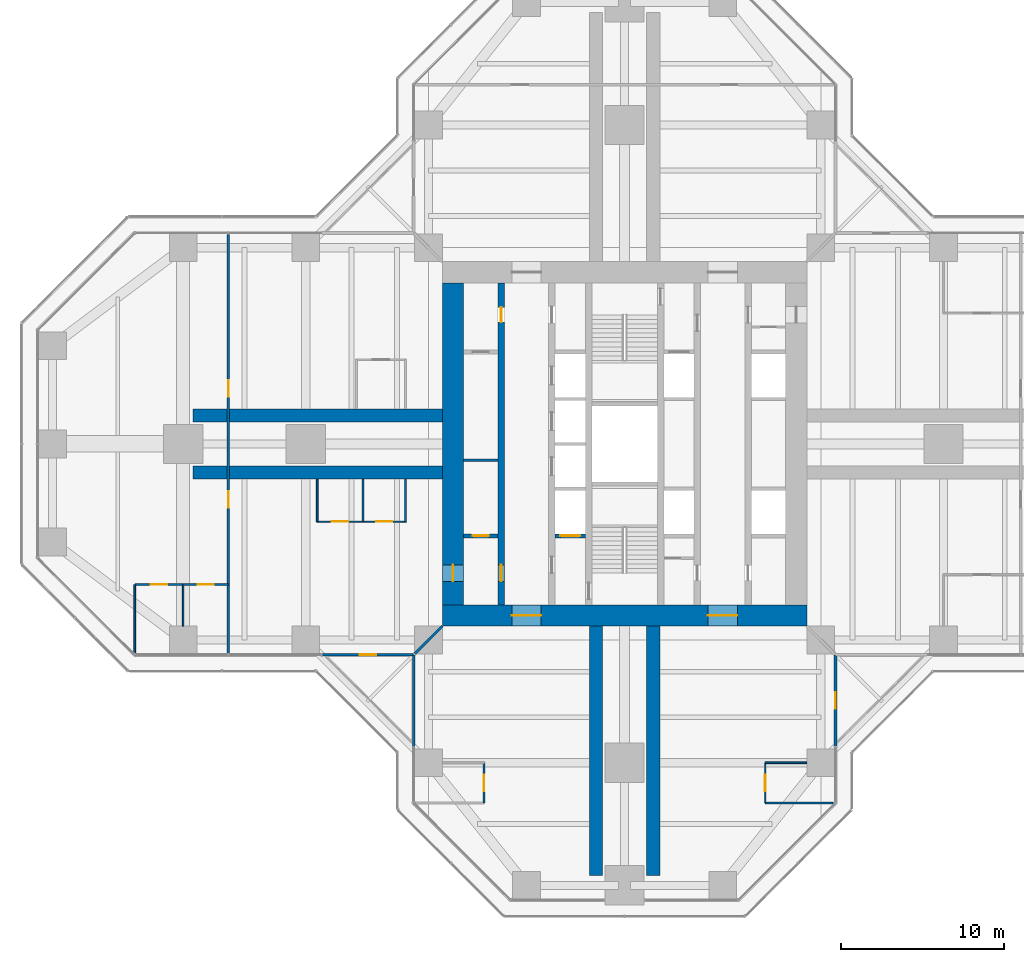
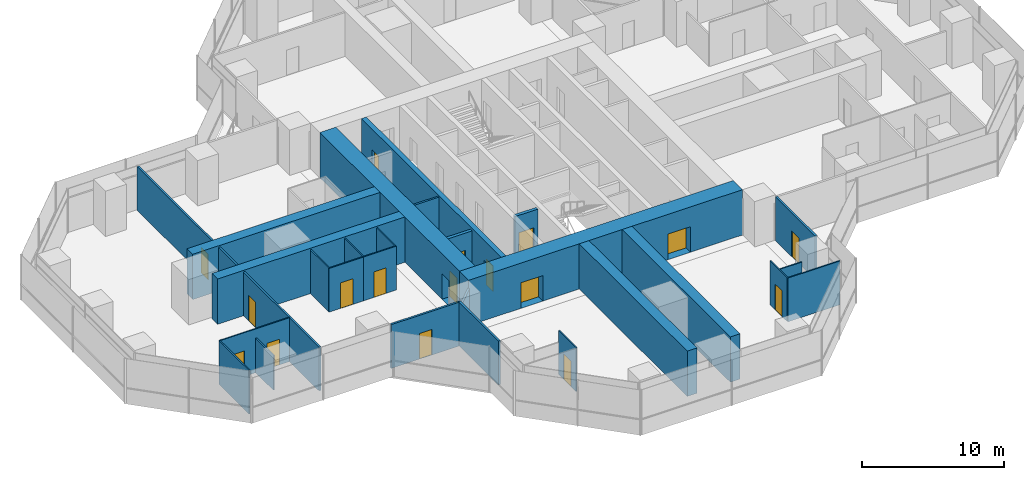
# One storey, part 15 of 20: 27 walls, 17 doors, 17 openings.
"""IFC4 building model written with IfcOpenShell, lengths in metres."""

from ifc_helpers import new_model, si_unit, direction, frame, frame_2d, origin, place, context, subcontext, project, spatial, rectangle, extrude, material, layer, layer_set, type_object, element, fill, save


model = new_model("IFC4")

# Units and contexts
model_context = context("Model", 3, precision=1e-05, world=origin(), true_north=direction((0.0, 1.0)))
body_context = subcontext(model_context, "Body", "Model", "MODEL_VIEW")
ifc_project = project(units=[si_unit("LENGTHUNIT", "METRE"), si_unit("AREAUNIT", "SQUARE_METRE"), si_unit("VOLUMEUNIT", "CUBIC_METRE"), si_unit("PLANEANGLEUNIT", "RADIAN"), si_unit("MASSUNIT", "GRAM", prefix="KILO")], contexts=[model_context])

# Site, building, storey
site_placement = place(None, origin())
site = spatial("IfcSite", under=ifc_project, at=site_placement, CompositionType="ELEMENT")
building_placement = place(site_placement, origin())
building = spatial("IfcBuilding", under=site, at=building_placement, Name="Mizan Broadcast Tower", CompositionType="ELEMENT")
storey_placement = place(building_placement, frame((0.0, 0.0, 139.800048828125)))
storey = spatial("IfcBuildingStorey", under=building, at=storey_placement, Name="L31", CompositionType="ELEMENT", Elevation=139.800048828125)

# Wall, openings, doors
ifc_material_1 = material(Name="Concrete C70/85", Category="concrete")
ifc_layer_1 = layer(ifc_material_1, 0.39990234375)
ifc_layer_set_1 = layer_set([ifc_layer_1], Name="Concrete C70/85")
wall_type_1 = type_object("IfcWallType", Name="CORE INTERNAL WALL 400", PredefinedType="SHEAR", material=ifc_layer_set_1)
wall_1_placement = place(storey_placement, frame((-7.550048828125, -9.85009765625, 0.0), z_axis=(0.0, 0.0, 1.0), x_axis=(0.0, 1.0, 0.0)))
wall_1 = element("IfcWall", 1, at=wall_1_placement, inside=storey, type_object=wall_type_1, Name="Core wall CORE/XW1", PredefinedType="SHEAR", context=body_context, shape_type="SweptSolid", body=[
    extrude(rectangle(XDim=19.7001953125, YDim=0.39990234375, at=frame_2d((9.85009765625, 0.0))), origin(), (0.0, 0.0, 1.0), 3.89990234375),
])
opening_1_placement = place(wall_1_placement, frame((1.449951171875, 0.0, 0.0)))
opening_1 = element("IfcOpeningElement", 2, at=opening_1_placement, cuts=wall_1, Name="Opening D10F", PredefinedType="OPENING", context=body_context, shape_type="SweptSolid", body=[
    extrude(rectangle(XDim=1.0, YDim=2.199951171875, at=frame_2d((0.5, 1.10009765625))), frame((0.0, 0.2099609375, 0.0), z_axis=(0.0, -1.0, 0.0), x_axis=(1.0, 0.0, 0.0)), (0.0, 0.0, 1.0), 0.419921875),
])
opening_2_placement = place(wall_1_placement, frame((17.300048828125, 0.0, 0.0)))
opening_2 = element("IfcOpeningElement", 3, at=opening_2_placement, cuts=wall_1, Name="Opening D09", PredefinedType="OPENING", context=body_context, shape_type="SweptSolid", body=[
    extrude(rectangle(XDim=0.89990234375, YDim=2.10009765625, at=frame_2d((0.449951171875, 1.050048828125))), frame((0.0, 0.2099609375, 0.0), z_axis=(0.0, -1.0, 0.0), x_axis=(1.0, 0.0, 0.0)), (0.0, 0.0, 1.0), 0.419921875),
])
ifc_material_2 = material(Name="Steel door leaf in steel frame", Category="steel")
door_type_1 = type_object("IfcDoorType", Name="FIRE DOOR 1000 FD90", OperationType="SINGLE_SWING_LEFT", PredefinedType="DOOR", material=ifc_material_2)
door_1_placement = place(opening_1_placement, origin())
door_1 = element("IfcDoor", 4, at=door_1_placement, inside=storey, type_object=door_type_1, Name="West core passage door", OperationType="SINGLE_SWING_LEFT", OverallHeight=2.199951171875, OverallWidth=1.0, PredefinedType="DOOR", context=body_context, shape_type="SweptSolid", body=[
    extrude(rectangle(XDim=1.0, YDim=2.199951171875, at=frame_2d((0.5, 1.10009765625))), frame((0.0, 0.02490234375, 0.0), z_axis=(0.0, -1.0, 0.0), x_axis=(1.0, 0.0, 0.0)), (0.0, 0.0, 1.0), 0.050048828125),
])
fill(opening_1, door_1)
ifc_material_3 = material(Name="Timber door leaf in aluminium frame", Category="wood")
door_type_2 = type_object("IfcDoorType", Name="TOILET DOOR 900", OperationType="SINGLE_SWING_LEFT", PredefinedType="DOOR", material=ifc_material_3)
door_2_placement = place(opening_2_placement, origin())
door_2 = element("IfcDoor", 5, at=door_2_placement, inside=storey, type_object=door_type_2, Name="Male WC door", OperationType="SINGLE_SWING_RIGHT", OverallHeight=2.10009765625, OverallWidth=0.89990234375, PredefinedType="DOOR", context=body_context, shape_type="SweptSolid", body=[
    extrude(rectangle(XDim=0.89990234375, YDim=2.10009765625, at=frame_2d((0.449951171875, 1.050048828125))), frame((0.0, 0.02490234375, 0.0), z_axis=(0.0, -1.0, 0.0), x_axis=(1.0, 0.0, 0.0)), (0.0, 0.0, 1.0), 0.050048828125),
])
fill(opening_2, door_2)

# Wall
ifc_material_4 = material(Name="Concrete blockwork", Category="masonry")
ifc_layer_2 = layer(ifc_material_4, 0.14990234375)
ifc_layer_set_2 = layer_set([ifc_layer_2], Name="Concrete blockwork")
wall_type_2 = type_object("IfcWallType", Name="CORE PARTITION 150", PredefinedType="SOLIDWALL", material=ifc_layer_set_2)
wall_2_placement = place(storey_placement, frame((-9.85009765625, -1.0, 0.0), z_axis=(0.0, 0.0, 1.0), x_axis=(1.0, 0.0, 0.0)))
element("IfcWall", 6, at=wall_2_placement, inside=storey, type_object=wall_type_2, Name="Core partition CORE/XP1", PredefinedType="SOLIDWALL", context=body_context, shape_type="SweptSolid", body=[
    extrude(rectangle(XDim=2.10009765625, YDim=0.14990234375, at=frame_2d((1.050048828125, 0.0))), origin(), (0.0, 0.0, 1.0), 3.77001953125),
])

# Wall, openings, doors
ifc_material_5 = material(Name="Concrete C70/85", Category="concrete")
ifc_layer_3 = layer(ifc_material_5, 1.300048828125)
ifc_layer_set_3 = layer_set([ifc_layer_3], Name="Concrete C70/85")
wall_type_3 = type_object("IfcWallType", Name="CORE WALL 1300", PredefinedType="SHEAR", material=ifc_layer_set_3)
wall_3_placement = place(storey_placement, frame((11.14990234375, -10.5, 0.0), z_axis=(0.0, 0.0, 1.0), x_axis=(-1.0, 0.0, 0.0)))
wall_3 = element("IfcWall", 7, at=wall_3_placement, inside=storey, type_object=wall_type_3, Name="Core wall S L31", PredefinedType="SHEAR", context=body_context, shape_type="SweptSolid", body=[
    extrude(rectangle(XDim=22.2998046875, YDim=1.300048828125, at=frame_2d((11.14990234375, 0.0))), origin(), (0.0, 0.0, 1.0), 3.89990234375),
])
opening_3_placement = place(wall_3_placement, frame((16.25, 0.0, 0.0)))
opening_3 = element("IfcOpeningElement", 8, at=opening_3_placement, cuts=wall_3, Name="Opening D18F", PredefinedType="OPENING", context=body_context, shape_type="SweptSolid", body=[
    extrude(rectangle(XDim=1.800048828125, YDim=2.199951171875, at=frame_2d((0.89990234375, 1.10009765625))), frame((0.0, 0.659912109375, 0.0), z_axis=(0.0, -1.0, 0.0), x_axis=(1.0, 0.0, 0.0)), (0.0, 0.0, 1.0), 1.320068359375),
])
opening_4_placement = place(wall_3_placement, frame((4.25, 0.0, 0.0)))
opening_4 = element("IfcOpeningElement", 9, at=opening_4_placement, cuts=wall_3, Name="Opening D18F", PredefinedType="OPENING", context=body_context, shape_type="SweptSolid", body=[
    extrude(rectangle(XDim=1.800048828125, YDim=2.199951171875, at=frame_2d((0.89990234375, 1.10009765625))), frame((0.0, 0.659912109375, 0.0), z_axis=(0.0, -1.0, 0.0), x_axis=(1.0, 0.0, 0.0)), (0.0, 0.0, 1.0), 1.320068359375),
])
ifc_material_6 = material(Name="Steel door leaf in steel frame", Category="steel")
door_type_3 = type_object("IfcDoorType", Name="LOBBY DOUBLE DOOR 1800 FD90", OperationType="DOUBLE_DOOR_DOUBLE_SWING", PredefinedType="DOOR", material=ifc_material_6)
door_3_placement = place(opening_3_placement, origin())
door_3 = element("IfcDoor", 10, at=door_3_placement, inside=storey, type_object=door_type_3, Name="West lift lobby south door", OperationType="DOUBLE_DOOR_DOUBLE_SWING", OverallHeight=2.199951171875, OverallWidth=1.800048828125, PredefinedType="DOOR", context=body_context, shape_type="SweptSolid", body=[
    extrude(rectangle(XDim=1.800048828125, YDim=2.199951171875, at=frame_2d((0.89990234375, 1.10009765625))), frame((0.0, 0.02490234375, 0.0), z_axis=(0.0, -1.0, 0.0), x_axis=(1.0, 0.0, 0.0)), (0.0, 0.0, 1.0), 0.050048828125),
])
fill(opening_3, door_3)
door_4_placement = place(opening_4_placement, origin())
door_4 = element("IfcDoor", 11, at=door_4_placement, inside=storey, type_object=door_type_3, Name="East lift lobby south door", OperationType="DOUBLE_DOOR_DOUBLE_SWING", OverallHeight=2.199951171875, OverallWidth=1.800048828125, PredefinedType="DOOR", context=body_context, shape_type="SweptSolid", body=[
    extrude(rectangle(XDim=1.800048828125, YDim=2.199951171875, at=frame_2d((0.89990234375, 1.10009765625))), frame((0.0, 0.02490234375, 0.0), z_axis=(0.0, -1.0, 0.0), x_axis=(1.0, 0.0, 0.0)), (0.0, 0.0, 1.0), 0.050048828125),
])
fill(opening_4, door_4)

# Wall, opening, door
wall_4_placement = place(storey_placement, frame((-10.5, 9.85009765625, 0.0), z_axis=(0.0, 0.0, 1.0), x_axis=(0.0, -1.0, 0.0)))
wall_4 = element("IfcWall", 12, at=wall_4_placement, inside=storey, type_object=wall_type_3, Name="Core wall W L31", PredefinedType="SHEAR", context=body_context, shape_type="SweptSolid", body=[
    extrude(rectangle(XDim=19.7001953125, YDim=1.300048828125, at=frame_2d((9.85009765625, 0.0))), origin(), (0.0, 0.0, 1.0), 3.89990234375),
])
opening_5_placement = place(wall_4_placement, frame((17.25, 0.0, 0.0)))
opening_5 = element("IfcOpeningElement", 13, at=opening_5_placement, cuts=wall_4, Name="Opening D10F", PredefinedType="OPENING", context=body_context, shape_type="SweptSolid", body=[
    extrude(rectangle(XDim=1.0, YDim=2.199951171875, at=frame_2d((0.5, 1.10009765625))), frame((0.0, 0.659912109375, 0.0), z_axis=(0.0, -1.0, 0.0), x_axis=(1.0, 0.0, 0.0)), (0.0, 0.0, 1.0), 1.320068359375),
])
door_5_placement = place(opening_5_placement, origin())
door_5 = element("IfcDoor", 14, at=door_5_placement, inside=storey, type_object=door_type_1, Name="West core passage arm door", OperationType="SINGLE_SWING_RIGHT", OverallHeight=2.199951171875, OverallWidth=1.0, PredefinedType="DOOR", context=body_context, shape_type="SweptSolid", body=[
    extrude(rectangle(XDim=1.0, YDim=2.199951171875, at=frame_2d((0.5, 1.10009765625))), frame((0.0, 0.02490234375, 0.0), z_axis=(0.0, -1.0, 0.0), x_axis=(1.0, 0.0, 0.0)), (0.0, 0.0, 1.0), 0.050048828125),
])
fill(opening_5, door_5)

ifc_material_7 = material(Name="Aluminium framed glazed screen", Category="aluminium")
ifc_layer_4 = layer(ifc_material_7, 0.159912109375)
ifc_layer_set_4 = layer_set([ifc_layer_4], Name="Aluminium framed glazed screen")
wall_type_4 = type_object("IfcWallType", Name="GLAZED SCREEN WALL 160", PredefinedType="SOLIDWALL", material=ifc_layer_set_4)
wall_5_placement = place(storey_placement, frame((-18.5, -12.89990234375, 0.0), z_axis=(0.0, 0.0, 1.0), x_axis=(1.0, 0.0, 0.0)))
wall_5 = element("IfcWall", 15, at=wall_5_placement, inside=storey, type_object=wall_type_4, Name="Winter garden screen L31 W", PredefinedType="SOLIDWALL", context=body_context, shape_type="SweptSolid", body=[
    extrude(rectangle(XDim=5.60009765625, YDim=0.159912109375, at=frame_2d((2.800048828125, 0.0))), origin(), (0.0, 0.0, 1.0), 3.77001953125),
])
opening_6_placement = place(wall_5_placement, frame((2.300048828125, 0.0, 0.0)))
opening_6 = element("IfcOpeningElement", 16, at=opening_6_placement, cuts=wall_5, Name="Opening WGD", PredefinedType="OPENING", context=body_context, shape_type="SweptSolid", body=[
    extrude(rectangle(XDim=1.0, YDim=2.199951171875, at=frame_2d((0.5, 1.10009765625))), frame((0.0, 0.08984375, 0.0), z_axis=(0.0, -1.0, 0.0), x_axis=(1.0, 0.0, 0.0)), (0.0, 0.0, 1.0), 0.179931640625),
])
ifc_material_8 = material(Name="Aluminium framed glazed door", Category="aluminium")
door_type_4 = type_object("IfcDoorType", Name="WINTER GARDEN DOOR 1000 GLAZED", OperationType="SINGLE_SWING_LEFT", PredefinedType="DOOR", material=ifc_material_8)
door_6_placement = place(opening_6_placement, origin())
door_6 = element("IfcDoor", 17, at=door_6_placement, inside=storey, type_object=door_type_4, Name="Winter garden door L31 W", OperationType="SINGLE_SWING_RIGHT", OverallHeight=2.199951171875, OverallWidth=1.0, PredefinedType="DOOR", context=body_context, shape_type="SweptSolid", body=[
    extrude(rectangle(XDim=1.0, YDim=2.199951171875, at=frame_2d((0.5, 1.10009765625))), frame((0.0, 0.02490234375, 0.0), z_axis=(0.0, -1.0, 0.0), x_axis=(1.0, 0.0, 0.0)), (0.0, 0.0, 1.0), 0.050048828125),
])
fill(opening_6, door_6)

# Wall
wall_6_placement = place(storey_placement, frame((-12.89990234375, -12.89990234375, 0.0), z_axis=(0.0, 0.0, 1.0), x_axis=(0.0, -1.0, 0.0)))
element("IfcWall", 18, at=wall_6_placement, inside=storey, type_object=wall_type_4, Name="Winter garden screen L31 S", PredefinedType="SOLIDWALL", context=body_context, shape_type="SweptSolid", body=[
    extrude(rectangle(XDim=5.60009765625, YDim=0.159912109375, at=frame_2d((2.800048828125, 0.0))), origin(), (0.0, 0.0, 1.0), 3.77001953125),
])

# Wall, opening, door
wall_7_placement = place(storey_placement, frame((12.89990234375, -18.5, 0.0), z_axis=(0.0, 0.0, 1.0), x_axis=(0.0, 1.0, 0.0)))
wall_7 = element("IfcWall", 19, at=wall_7_placement, inside=storey, type_object=wall_type_4, Name="Winter garden screen L31 S", PredefinedType="SOLIDWALL", context=body_context, shape_type="SweptSolid", body=[
    extrude(rectangle(XDim=5.60009765625, YDim=0.159912109375, at=frame_2d((2.800048828125, 0.0))), origin(), (0.0, 0.0, 1.0), 3.77001953125),
])
opening_7_placement = place(wall_7_placement, frame((2.300048828125, 0.0, 0.0)))
opening_7 = element("IfcOpeningElement", 20, at=opening_7_placement, cuts=wall_7, Name="Opening WGD", PredefinedType="OPENING", context=body_context, shape_type="SweptSolid", body=[
    extrude(rectangle(XDim=1.0, YDim=2.199951171875, at=frame_2d((0.5, 1.10009765625))), frame((0.0, 0.08984375, 0.0), z_axis=(0.0, -1.0, 0.0), x_axis=(1.0, 0.0, 0.0)), (0.0, 0.0, 1.0), 0.179931640625),
])
door_7_placement = place(opening_7_placement, origin())
door_7 = element("IfcDoor", 21, at=door_7_placement, inside=storey, type_object=door_type_4, Name="Winter garden door L31 S", OperationType="SINGLE_SWING_RIGHT", OverallHeight=2.199951171875, OverallWidth=1.0, PredefinedType="DOOR", context=body_context, shape_type="SweptSolid", body=[
    extrude(rectangle(XDim=1.0, YDim=2.199951171875, at=frame_2d((0.5, 1.10009765625))), frame((0.0, 0.02490234375, 0.0), z_axis=(0.0, -1.0, 0.0), x_axis=(1.0, 0.0, 0.0)), (0.0, 0.0, 1.0), 0.050048828125),
])
fill(opening_7, door_7)

ifc_material_9 = material(Name="Concrete blockwork", Category="masonry")
ifc_layer_5 = layer(ifc_material_9, 0.25)
ifc_layer_set_5 = layer_set([ifc_layer_5], Name="Concrete blockwork")
wall_type_5 = type_object("IfcWallType", Name="LOBBY ENCLOSURE WALL 250", PredefinedType="SOLIDWALL", material=ifc_layer_set_5)
wall_8_placement = place(storey_placement, frame((-9.85009765625, -5.625, 0.0), z_axis=(0.0, 0.0, 1.0), x_axis=(1.0, 0.0, 0.0)))
wall_8 = element("IfcWall", 22, at=wall_8_placement, inside=storey, type_object=wall_type_5, Name="Lobby enclosure wall CORE/BW1S", PredefinedType="SOLIDWALL", context=body_context, shape_type="SweptSolid", body=[
    extrude(rectangle(XDim=2.10009765625, YDim=0.25, at=frame_2d((1.050048828125, 0.0))), origin(), (0.0, 0.0, 1.0), 3.699951171875),
])
opening_8_placement = place(wall_8_placement, frame((0.550048828125, 0.0, 0.0)))
opening_8 = element("IfcOpeningElement", 23, at=opening_8_placement, cuts=wall_8, Name="Opening D10F", PredefinedType="OPENING", context=body_context, shape_type="SweptSolid", body=[
    extrude(rectangle(XDim=1.0, YDim=2.199951171875, at=frame_2d((0.5, 1.10009765625))), frame((0.0, 0.135009765625, 0.0), z_axis=(0.0, -1.0, 0.0), x_axis=(1.0, 0.0, 0.0)), (0.0, 0.0, 1.0), 0.27001953125),
])
door_8_placement = place(opening_8_placement, origin())
door_8 = element("IfcDoor", 24, at=door_8_placement, inside=storey, type_object=door_type_1, Name="Housekeeping store door", OperationType="SINGLE_SWING_RIGHT", OverallHeight=2.199951171875, OverallWidth=1.0, PredefinedType="DOOR", context=body_context, shape_type="SweptSolid", body=[
    extrude(rectangle(XDim=1.0, YDim=2.199951171875, at=frame_2d((0.5, 1.10009765625))), frame((0.0, 0.02490234375, 0.0), z_axis=(0.0, -1.0, 0.0), x_axis=(1.0, 0.0, 0.0)), (0.0, 0.0, 1.0), 0.050048828125),
])
fill(opening_8, door_8)

wall_9_placement = place(storey_placement, frame((-4.25, -5.625, 0.0), z_axis=(0.0, 0.0, 1.0), x_axis=(1.0, 0.0, 0.0)))
wall_9 = element("IfcWall", 25, at=wall_9_placement, inside=storey, type_object=wall_type_5, Name="Lobby enclosure wall CORE/BW2S", PredefinedType="SOLIDWALL", context=body_context, shape_type="SweptSolid", body=[
    extrude(rectangle(XDim=1.85009765625, YDim=0.25, at=frame_2d((0.925048828125, 0.0))), origin(), (0.0, 0.0, 1.0), 3.699951171875),
])
opening_9_placement = place(wall_9_placement, frame((0.324951171875, 0.0, 0.0)))
opening_9 = element("IfcOpeningElement", 26, at=opening_9_placement, cuts=wall_9, Name="Opening LDF", PredefinedType="OPENING", context=body_context, shape_type="SweptSolid", body=[
    extrude(rectangle(XDim=1.199951171875, YDim=2.199951171875, at=frame_2d((0.60009765625, 1.10009765625))), frame((0.0, 0.135009765625, 0.0), z_axis=(0.0, -1.0, 0.0), x_axis=(1.0, 0.0, 0.0)), (0.0, 0.0, 1.0), 0.27001953125),
])
ifc_material_10 = material(Name="Steel door leaf in steel frame", Category="steel")
door_type_5 = type_object("IfcDoorType", Name="FIREFIGHTING LIFT LANDING DOOR 1200", OperationType="SLIDING_TO_LEFT", PredefinedType="DOOR", material=ifc_material_10)
door_9_placement = place(opening_9_placement, origin())
door_9 = element("IfcDoor", 27, at=door_9_placement, inside=storey, type_object=door_type_5, Name="Landing door FF1", OperationType="SLIDING_TO_LEFT", OverallHeight=2.199951171875, OverallWidth=1.199951171875, PredefinedType="DOOR", context=body_context, shape_type="SweptSolid", body=[
    extrude(rectangle(XDim=1.199951171875, YDim=2.199951171875, at=frame_2d((0.60009765625, 1.10009765625))), frame((0.0, 0.02490234375, 0.0), z_axis=(0.0, -1.0, 0.0), x_axis=(1.0, 0.0, 0.0)), (0.0, 0.0, 1.0), 0.050048828125),
])
fill(opening_9, door_9)

# Wall, openings, doors
ifc_material_11 = material(Name="Gypsum board on steel studs", Category="steel")
ifc_layer_6 = layer(ifc_material_11, 0.14990234375)
ifc_layer_set_6 = layer_set([ifc_layer_6], Name="Gypsum board on steel studs")
wall_type_6 = type_object("IfcWallType", Name="PARTITION 150", PredefinedType="PARTITIONING", material=ifc_layer_set_6)
wall_10_placement = place(storey_placement, frame((-24.22900390625, 12.820068359375, 0.0), z_axis=(0.0, 0.0, 1.0), x_axis=(0.0, -1.0, 0.0)))
wall_10 = element("IfcWall", 28, at=wall_10_placement, inside=storey, type_object=wall_type_6, Name="Partition PT/WX1", PredefinedType="PARTITIONING", context=body_context, shape_type="SweptSolid", body=[
    extrude(rectangle(XDim=25.64013671875, YDim=0.14990234375, at=frame_2d((12.820068359375, 0.0))), origin(), (0.0, 0.0, 1.0), 3.77001953125),
])
opening_10_placement = place(wall_10_placement, frame((15.719970703125, 0.0, 0.0)))
opening_10 = element("IfcOpeningElement", 29, at=opening_10_placement, cuts=wall_10, Name="Opening D10", PredefinedType="OPENING", context=body_context, shape_type="SweptSolid", body=[
    extrude(rectangle(XDim=1.0, YDim=2.199951171875, at=frame_2d((0.5, 1.10009765625))), frame((0.0, 0.0849609375, 0.0), z_axis=(0.0, -1.0, 0.0), x_axis=(1.0, 0.0, 0.0)), (0.0, 0.0, 1.0), 0.169921875),
])
opening_11_placement = place(wall_10_placement, frame((8.919921875, 0.0, 0.0)))
opening_11 = element("IfcOpeningElement", 30, at=opening_11_placement, cuts=wall_10, Name="Opening D10", PredefinedType="OPENING", context=body_context, shape_type="SweptSolid", body=[
    extrude(rectangle(XDim=1.0, YDim=2.199951171875, at=frame_2d((0.5, 1.10009765625))), frame((0.0, 0.0849609375, 0.0), z_axis=(0.0, -1.0, 0.0), x_axis=(1.0, 0.0, 0.0)), (0.0, 0.0, 1.0), 0.169921875),
])
ifc_material_12 = material(Name="Timber door leaf in aluminium frame", Category="wood")
door_type_6 = type_object("IfcDoorType", Name="ROOM DOOR 1000", OperationType="SINGLE_SWING_LEFT", PredefinedType="DOOR", material=ifc_material_12)
door_10_placement = place(opening_10_placement, origin())
door_10 = element("IfcDoor", 31, at=door_10_placement, inside=storey, type_object=door_type_6, Name="Open office door", OperationType="SINGLE_SWING_RIGHT", OverallHeight=2.199951171875, OverallWidth=1.0, PredefinedType="DOOR", context=body_context, shape_type="SweptSolid", body=[
    extrude(rectangle(XDim=1.0, YDim=2.199951171875, at=frame_2d((0.5, 1.10009765625))), frame((0.0, 0.02490234375, 0.0), z_axis=(0.0, -1.0, 0.0), x_axis=(1.0, 0.0, 0.0)), (0.0, 0.0, 1.0), 0.050048828125),
])
fill(opening_10, door_10)
door_11_placement = place(opening_11_placement, origin())
door_11 = element("IfcDoor", 32, at=door_11_placement, inside=storey, type_object=door_type_6, Name="Open office door", OperationType="SINGLE_SWING_LEFT", OverallHeight=2.199951171875, OverallWidth=1.0, PredefinedType="DOOR", context=body_context, shape_type="SweptSolid", body=[
    extrude(rectangle(XDim=1.0, YDim=2.199951171875, at=frame_2d((0.5, 1.10009765625))), frame((0.0, 0.02490234375, 0.0), z_axis=(0.0, -1.0, 0.0), x_axis=(1.0, 0.0, 0.0)), (0.0, 0.0, 1.0), 0.050048828125),
])
fill(opening_11, door_11)

# Wall
wall_11_placement = place(storey_placement, frame((-11.14990234375, -11.14990234375, 0.0), z_axis=(0.0, 0.0, 1.0), x_axis=(-0.707106781187, -0.707106781187, 0.0)))
element("IfcWall", 33, at=wall_11_placement, inside=storey, type_object=wall_type_6, Name="Partition PT/DGWS", PredefinedType="PARTITIONING", context=body_context, shape_type="SweptSolid", body=[
    extrude(rectangle(XDim=2.362060546875, YDim=0.14990234375, at=frame_2d((1.18115234375, 0.0))), origin(), (0.0, 0.0, 1.0), 3.219970703125),
])

# Wall, openings, doors
ifc_material_13 = material(Name="Glazed aluminium partition on aluminium track", Category="aluminium")
ifc_layer_7 = layer(ifc_material_13, 0.10009765625)
ifc_layer_set_7 = layer_set([ifc_layer_7], Name="Glazed aluminium partition on aluminium track")
wall_type_7 = type_object("IfcWallType", Name="PARTITION GLAZED OFFICE FRONT 100", PredefinedType="PARTITIONING", material=ifc_layer_set_7)
wall_12_placement = place(storey_placement, frame((-24.22900390625, -8.60009765625, 0.0), z_axis=(0.0, 0.0, 1.0), x_axis=(-1.0, 0.0, 0.0)))
wall_12 = element("IfcWall", 34, at=wall_12_placement, inside=storey, type_object=wall_type_7, Name="Glazed office front PT/WCP0", PredefinedType="PARTITIONING", context=body_context, shape_type="SweptSolid", body=[
    extrude(rectangle(XDim=5.72998046875, YDim=0.10009765625, at=frame_2d((2.864990234375, 0.0))), origin(), (0.0, 0.0, 1.0), 3.77001953125),
])
opening_12_placement = place(wall_12_placement, frame((0.885498046875, 0.0, 0.0)))
opening_12 = element("IfcOpeningElement", 35, at=opening_12_placement, cuts=wall_12, Name="Opening D10O", PredefinedType="OPENING", context=body_context, shape_type="SweptSolid", body=[
    extrude(rectangle(XDim=1.0, YDim=2.199951171875, at=frame_2d((0.5, 1.10009765625))), frame((0.0, 0.06005859375, 0.0), z_axis=(0.0, -1.0, 0.0), x_axis=(1.0, 0.0, 0.0)), (0.0, 0.0, 1.0), 0.1201171875),
])
opening_13_placement = place(wall_12_placement, frame((3.75048828125, 0.0, 0.0)))
opening_13 = element("IfcOpeningElement", 36, at=opening_13_placement, cuts=wall_12, Name="Opening D10O", PredefinedType="OPENING", context=body_context, shape_type="SweptSolid", body=[
    extrude(rectangle(XDim=1.0, YDim=2.199951171875, at=frame_2d((0.5, 1.10009765625))), frame((0.0, 0.06005859375, 0.0), z_axis=(0.0, -1.0, 0.0), x_axis=(1.0, 0.0, 0.0)), (0.0, 0.0, 1.0), 0.1201171875),
])
ifc_material_14 = material(Name="Timber door leaf in aluminium frame", Category="wood")
door_type_7 = type_object("IfcDoorType", Name="OFFICE DOOR 1000 GLAZED", OperationType="SINGLE_SWING_LEFT", PredefinedType="DOOR", material=ifc_material_14)
door_12_placement = place(opening_12_placement, origin())
door_12 = element("IfcDoor", 37, at=door_12_placement, inside=storey, type_object=door_type_7, Name="Office door", OperationType="SINGLE_SWING_LEFT", OverallHeight=2.199951171875, OverallWidth=1.0, PredefinedType="DOOR", context=body_context, shape_type="SweptSolid", body=[
    extrude(rectangle(XDim=1.0, YDim=2.199951171875, at=frame_2d((0.5, 1.10009765625))), frame((0.0, 0.02490234375, 0.0), z_axis=(0.0, -1.0, 0.0), x_axis=(1.0, 0.0, 0.0)), (0.0, 0.0, 1.0), 0.050048828125),
])
fill(opening_12, door_12)
door_13_placement = place(opening_13_placement, origin())
door_13 = element("IfcDoor", 38, at=door_13_placement, inside=storey, type_object=door_type_7, Name="Office door", OperationType="SINGLE_SWING_RIGHT", OverallHeight=2.199951171875, OverallWidth=1.0, PredefinedType="DOOR", context=body_context, shape_type="SweptSolid", body=[
    extrude(rectangle(XDim=1.0, YDim=2.199951171875, at=frame_2d((0.5, 1.10009765625))), frame((0.0, 0.02490234375, 0.0), z_axis=(0.0, -1.0, 0.0), x_axis=(1.0, 0.0, 0.0)), (0.0, 0.0, 1.0), 0.050048828125),
])
fill(opening_13, door_13)

# Walls
wall_13_placement = place(storey_placement, frame((-27.0, -8.60009765625, 0.0), z_axis=(0.0, 0.0, 1.0), x_axis=(0.0, -1.0, 0.0)))
element("IfcWall", 39, at=wall_13_placement, inside=storey, type_object=wall_type_7, Name="Glazed office front PT/WQP2700", PredefinedType="PARTITIONING", context=body_context, shape_type="SweptSolid", body=[
    extrude(rectangle(XDim=2.5498046875, YDim=0.10009765625, at=frame_2d((1.27490234375, 0.0))), origin(), (0.0, 0.0, 1.0), 2.969970703125),
])
wall_14_placement = place(storey_placement, frame((-29.958984375, -8.60009765625, 0.0), z_axis=(0.0, 0.0, 1.0), x_axis=(0.0, -1.0, 0.0)))
element("IfcWall", 40, at=wall_14_placement, inside=storey, type_object=wall_type_7, Name="Glazed office front PT/WQP2996", PredefinedType="PARTITIONING", context=body_context, shape_type="SweptSolid", body=[
    extrude(rectangle(XDim=4.219970703125, YDim=0.10009765625, at=frame_2d((2.10986328125, 0.0))), origin(), (0.0, 0.0, 1.0), 3.77001953125),
])
for number, where, z_axis, x_axis, name in (
    (41, (-13.39990234375, -2.14990234375, 0.0), (0.0, 0.0, 1.0), (0.0, -1.0, 0.0), "Glazed office front PT/WKP0a"),
    (42, (-16.0, -2.14990234375, 0.0), (0.0, 0.0, 1.0), (0.0, -1.0, 0.0), "Glazed office front PT/WKP0b"),
):
    element("IfcWall", number, at=place(storey_placement, frame(where, z_axis=z_axis, x_axis=x_axis)), inside=storey, type_object=wall_type_7, Name=name, PredefinedType="PARTITIONING", context=body_context, shape_type="SweptSolid", body=[
        extrude(rectangle(XDim=2.60009765625, YDim=0.10009765625, at=frame_2d((1.300048828125, 0.0))), origin(), (0.0, 0.0, 1.0), 3.77001953125),
    ])

# Wall, opening, door
wall_15_placement = place(storey_placement, frame((-13.35009765625, -4.75, 0.0), z_axis=(0.0, 0.0, 1.0), x_axis=(-1.0, 0.0, 0.0)))
wall_15 = element("IfcWall", 43, at=wall_15_placement, inside=storey, type_object=wall_type_7, Name="Glazed office front PT/WKP0f", PredefinedType="PARTITIONING", context=body_context, shape_type="SweptSolid", body=[
    extrude(rectangle(XDim=2.699951171875, YDim=0.10009765625, at=frame_2d((1.35009765625, 0.0))), origin(), (0.0, 0.0, 1.0), 3.77001953125),
])
opening_14_placement = place(wall_15_placement, frame((0.85009765625, 0.0, 0.0)))
opening_14 = element("IfcOpeningElement", 44, at=opening_14_placement, cuts=wall_15, Name="Opening D10O", PredefinedType="OPENING", context=body_context, shape_type="SweptSolid", body=[
    extrude(rectangle(XDim=1.0, YDim=2.199951171875, at=frame_2d((0.5, 1.10009765625))), frame((0.0, 0.06005859375, 0.0), z_axis=(0.0, -1.0, 0.0), x_axis=(1.0, 0.0, 0.0)), (0.0, 0.0, 1.0), 0.1201171875),
])
door_14_placement = place(opening_14_placement, origin())
door_14 = element("IfcDoor", 45, at=door_14_placement, inside=storey, type_object=door_type_7, Name="Interview room door", OperationType="SINGLE_SWING_LEFT", OverallHeight=2.199951171875, OverallWidth=1.0, PredefinedType="DOOR", context=body_context, shape_type="SweptSolid", body=[
    extrude(rectangle(XDim=1.0, YDim=2.199951171875, at=frame_2d((0.5, 1.10009765625))), frame((0.0, 0.02490234375, 0.0), z_axis=(0.0, -1.0, 0.0), x_axis=(1.0, 0.0, 0.0)), (0.0, 0.0, 1.0), 0.050048828125),
])
fill(opening_14, door_14)

# Wall
wall_16_placement = place(storey_placement, frame((-18.800048828125, -2.14990234375, 0.0), z_axis=(0.0, 0.0, 1.0), x_axis=(0.0, -1.0, 0.0)))
element("IfcWall", 46, at=wall_16_placement, inside=storey, type_object=wall_type_7, Name="Glazed office front PT/WKP1b", PredefinedType="PARTITIONING", context=body_context, shape_type="SweptSolid", body=[
    extrude(rectangle(XDim=2.60009765625, YDim=0.10009765625, at=frame_2d((1.300048828125, 0.0))), origin(), (0.0, 0.0, 1.0), 3.77001953125),
])

# Wall, opening, door
wall_17_placement = place(storey_placement, frame((-16.050048828125, -4.75, 0.0), z_axis=(0.0, 0.0, 1.0), x_axis=(-1.0, 0.0, 0.0)))
wall_17 = element("IfcWall", 47, at=wall_17_placement, inside=storey, type_object=wall_type_7, Name="Glazed office front PT/WKP1f", PredefinedType="PARTITIONING", context=body_context, shape_type="SweptSolid", body=[
    extrude(rectangle(XDim=2.800048828125, YDim=0.10009765625, at=frame_2d((1.39990234375, 0.0))), origin(), (0.0, 0.0, 1.0), 3.77001953125),
])
opening_15_placement = place(wall_17_placement, frame((0.85009765625, 0.0, 0.0)))
opening_15 = element("IfcOpeningElement", 48, at=opening_15_placement, cuts=wall_17, Name="Opening D10O", PredefinedType="OPENING", context=body_context, shape_type="SweptSolid", body=[
    extrude(rectangle(XDim=1.0, YDim=2.199951171875, at=frame_2d((0.5, 1.10009765625))), frame((0.0, 0.06005859375, 0.0), z_axis=(0.0, -1.0, 0.0), x_axis=(1.0, 0.0, 0.0)), (0.0, 0.0, 1.0), 0.1201171875),
])
door_15_placement = place(opening_15_placement, origin())
door_15 = element("IfcDoor", 49, at=door_15_placement, inside=storey, type_object=door_type_7, Name="Interview room door", OperationType="SINGLE_SWING_LEFT", OverallHeight=2.199951171875, OverallWidth=1.0, PredefinedType="DOOR", context=body_context, shape_type="SweptSolid", body=[
    extrude(rectangle(XDim=1.0, YDim=2.199951171875, at=frame_2d((0.5, 1.10009765625))), frame((0.0, 0.02490234375, 0.0), z_axis=(0.0, -1.0, 0.0), x_axis=(1.0, 0.0, 0.0)), (0.0, 0.0, 1.0), 0.050048828125),
])
fill(opening_15, door_15)

wall_18_placement = place(storey_placement, frame((8.60009765625, -19.5, 0.0), z_axis=(0.0, 0.0, 1.0), x_axis=(0.0, -1.0, 0.0)))
wall_18 = element("IfcWall", 50, at=wall_18_placement, inside=storey, type_object=wall_type_7, Name="Glazed office front PT/SCP0", PredefinedType="PARTITIONING", context=body_context, shape_type="SweptSolid", body=[
    extrude(rectangle(XDim=2.458984375, YDim=0.10009765625, at=frame_2d((1.2294921875, 0.0))), origin(), (0.0, 0.0, 1.0), 3.77001953125),
])
opening_16_placement = place(wall_18_placement, frame((0.7294921875, 0.0, 0.0)))
opening_16 = element("IfcOpeningElement", 51, at=opening_16_placement, cuts=wall_18, Name="Opening D10O", PredefinedType="OPENING", context=body_context, shape_type="SweptSolid", body=[
    extrude(rectangle(XDim=1.0, YDim=2.199951171875, at=frame_2d((0.5, 1.10009765625))), frame((0.0, 0.06005859375, 0.0), z_axis=(0.0, -1.0, 0.0), x_axis=(1.0, 0.0, 0.0)), (0.0, 0.0, 1.0), 0.1201171875),
])
door_16_placement = place(opening_16_placement, origin())
door_16 = element("IfcDoor", 52, at=door_16_placement, inside=storey, type_object=door_type_7, Name="Office door", OperationType="SINGLE_SWING_LEFT", OverallHeight=2.199951171875, OverallWidth=1.0, PredefinedType="DOOR", context=body_context, shape_type="SweptSolid", body=[
    extrude(rectangle(XDim=1.0, YDim=2.199951171875, at=frame_2d((0.5, 1.10009765625))), frame((0.0, 0.02490234375, 0.0), z_axis=(0.0, -1.0, 0.0), x_axis=(1.0, 0.0, 0.0)), (0.0, 0.0, 1.0), 0.050048828125),
])
fill(opening_16, door_16)

# Walls
wall_19_placement = place(storey_placement, frame((8.60009765625, -19.5, 0.0), z_axis=(0.0, 0.0, 1.0), x_axis=(1.0, 0.0, 0.0)))
element("IfcWall", 53, at=wall_19_placement, inside=storey, type_object=wall_type_7, Name="Glazed office front PT/SQP1950", PredefinedType="PARTITIONING", context=body_context, shape_type="SweptSolid", body=[
    extrude(rectangle(XDim=2.5498046875, YDim=0.10009765625, at=frame_2d((1.27490234375, 0.0))), origin(), (0.0, 0.0, 1.0), 2.77001953125),
])
wall_20_placement = place(storey_placement, frame((8.60009765625, -21.958984375, 0.0), z_axis=(0.0, 0.0, 1.0), x_axis=(1.0, 0.0, 0.0)))
element("IfcWall", 54, at=wall_20_placement, inside=storey, type_object=wall_type_7, Name="Glazed office front PT/SQP2196", PredefinedType="PARTITIONING", context=body_context, shape_type="SweptSolid", body=[
    extrude(rectangle(XDim=4.219970703125, YDim=0.10009765625, at=frame_2d((2.10986328125, 0.0))), origin(), (0.0, 0.0, 1.0), 3.77001953125),
])

# Wall, opening, door
wall_21_placement = place(storey_placement, frame((-8.60009765625, -19.5, 0.0), z_axis=(0.0, 0.0, 1.0), x_axis=(0.0, -1.0, 0.0)))
wall_21 = element("IfcWall", 55, at=wall_21_placement, inside=storey, type_object=wall_type_7, Name="Glazed office front PT/SCN0", PredefinedType="PARTITIONING", context=body_context, shape_type="SweptSolid", body=[
    extrude(rectangle(XDim=2.458984375, YDim=0.10009765625, at=frame_2d((1.2294921875, 0.0))), origin(), (0.0, 0.0, 1.0), 3.77001953125),
])
opening_17_placement = place(wall_21_placement, frame((0.7294921875, 0.0, 0.0)))
opening_17 = element("IfcOpeningElement", 56, at=opening_17_placement, cuts=wall_21, Name="Opening D10O", PredefinedType="OPENING", context=body_context, shape_type="SweptSolid", body=[
    extrude(rectangle(XDim=1.0, YDim=2.199951171875, at=frame_2d((0.5, 1.10009765625))), frame((0.0, 0.06005859375, 0.0), z_axis=(0.0, -1.0, 0.0), x_axis=(1.0, 0.0, 0.0)), (0.0, 0.0, 1.0), 0.1201171875),
])
door_17_placement = place(opening_17_placement, origin())
door_17 = element("IfcDoor", 57, at=door_17_placement, inside=storey, type_object=door_type_7, Name="Office door", OperationType="SINGLE_SWING_LEFT", OverallHeight=2.199951171875, OverallWidth=1.0, PredefinedType="DOOR", context=body_context, shape_type="SweptSolid", body=[
    extrude(rectangle(XDim=1.0, YDim=2.199951171875, at=frame_2d((0.5, 1.10009765625))), frame((0.0, 0.02490234375, 0.0), z_axis=(0.0, -1.0, 0.0), x_axis=(1.0, 0.0, 0.0)), (0.0, 0.0, 1.0), 0.050048828125),
])
fill(opening_17, door_17)

# Walls
ifc_material_15 = material(Name="Concrete C70/85", Category="concrete")
ifc_layer_8 = layer(ifc_material_15, 0.800048828125)
ifc_layer_set_8 = layer_set([ifc_layer_8], Name="Concrete C70/85")
wall_type_8 = type_object("IfcWallType", Name="SPINE WALL 800", PredefinedType="SHEAR", material=ifc_layer_set_8)
for number, where, z_axis, x_axis, name in (
    (58, (-11.14990234375, 1.75, 0.0), (0.0, 0.0, 1.0), (-1.0, 0.0, 0.0), "Spine wall WR L31"),
    (59, (-11.14990234375, -1.75, 0.0), (0.0, 0.0, 1.0), (-1.0, 0.0, 0.0), "Spine wall WL L31"),
    (60, (-1.75, -11.14990234375, 0.0), (0.0, 0.0, 1.0), (0.0, -1.0, 0.0), "Spine wall SR L31"),
    (61, (1.75, -11.14990234375, 0.0), (0.0, 0.0, 1.0), (0.0, -1.0, 0.0), "Spine wall SL L31"),
):
    element("IfcWall", number, at=place(storey_placement, frame(where, z_axis=z_axis, x_axis=x_axis)), inside=storey, type_object=wall_type_8, Name=name, PredefinedType="SHEAR", context=body_context, shape_type="SweptSolid", body=[
        extrude(rectangle(XDim=15.25, YDim=0.800048828125, at=frame_2d((7.625, 0.0))), origin(), (0.0, 0.0, 1.0), 3.89990234375),
    ])

save(model, "model.ifc")
